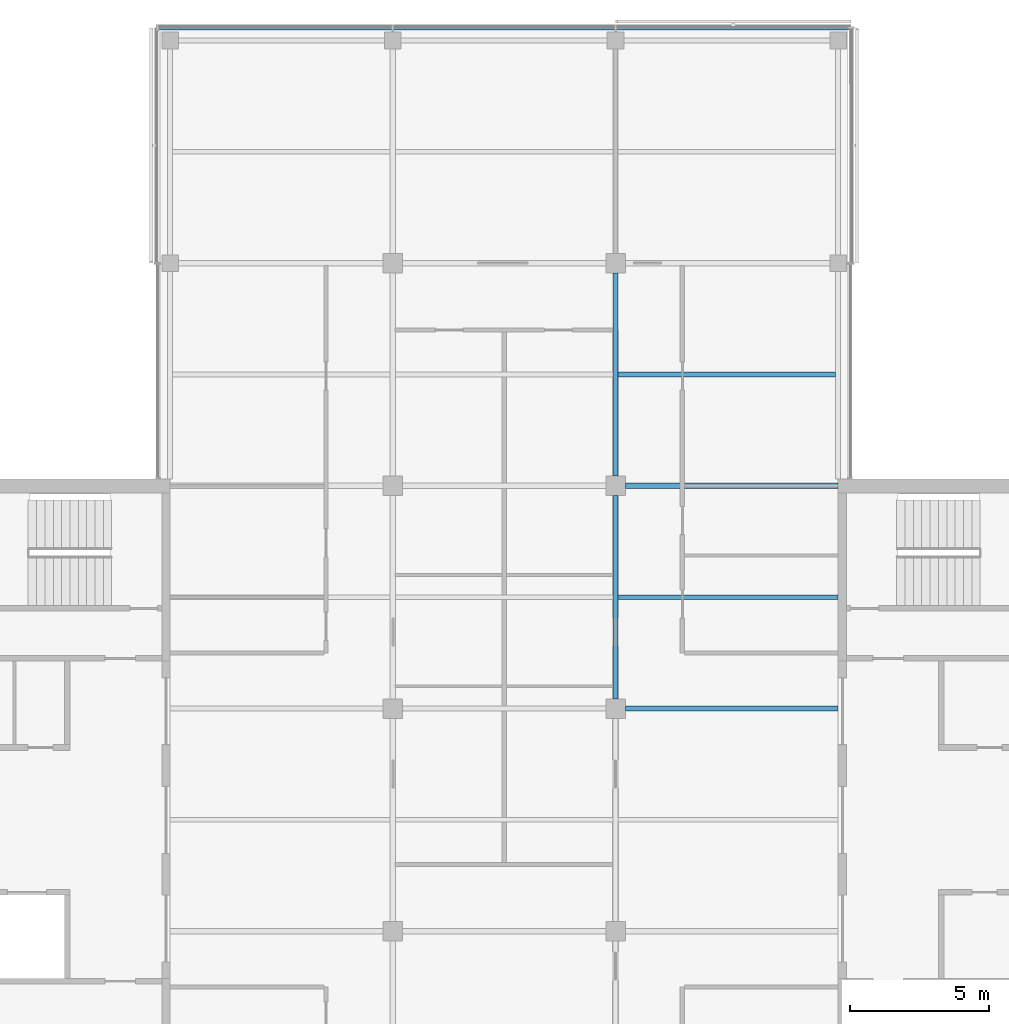
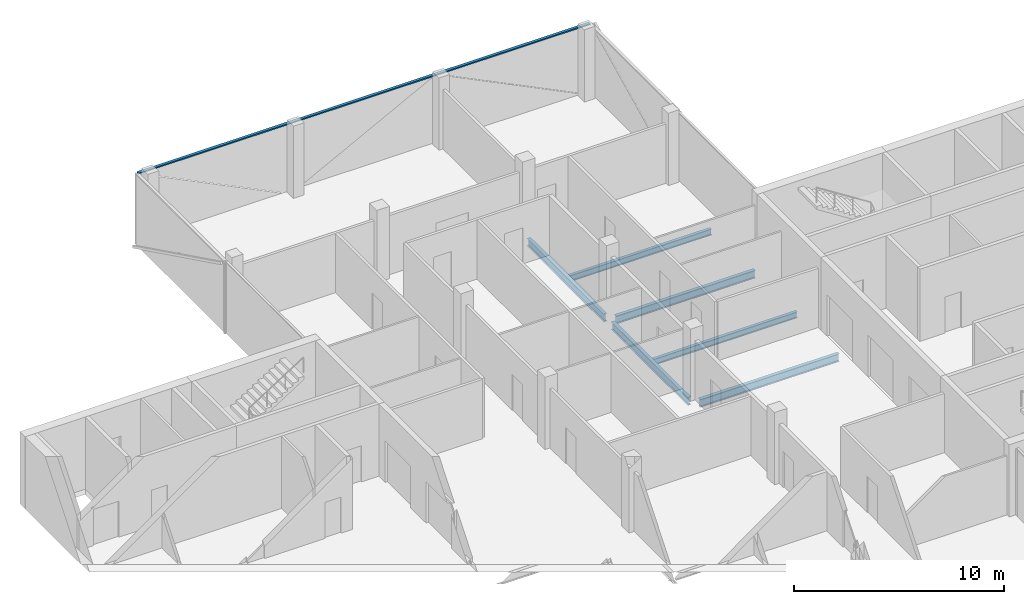
# One storey, part 6 of 16: 6 beams, 1 member, 1 element without a shape of its own.
"""IFC4 building model written with IfcOpenShell, lengths in metres."""

from ifc_helpers import new_model, si_unit, direction, frame, origin, origin_2d, place, context, subcontext, project, spatial, rectangle, i_section, extrude, material, material_profile, profile_set, type_object, element, aggregate, save


model = new_model("IFC4")

# Units and contexts
model_context = context("Model", 3, precision=1e-05, world=origin(), true_north=direction((0.0, 1.0)))
body_context = subcontext(model_context, "Body", "Model", "MODEL_VIEW")
ifc_project = project(units=[si_unit("LENGTHUNIT", "METRE"), si_unit("AREAUNIT", "SQUARE_METRE"), si_unit("VOLUMEUNIT", "CUBIC_METRE"), si_unit("PLANEANGLEUNIT", "RADIAN"), si_unit("MASSUNIT", "GRAM", prefix="KILO")], contexts=[model_context])

# Site, building, storey
site_placement = place(None, origin())
site = spatial("IfcSite", under=ifc_project, at=site_placement, CompositionType="ELEMENT")
building_placement = place(site_placement, origin())
building = spatial("IfcBuilding", under=site, at=building_placement, Name="Crosswind Convention Tower", CompositionType="ELEMENT")
storey_placement = place(building_placement, frame((0.0, 0.0, 278.699951171875)))
storey = spatial("IfcBuildingStorey", under=building, at=storey_placement, Name="L60", CompositionType="ELEMENT", Elevation=278.699951171875)

# Beams
ifc_material_1 = material(Name="Steel S355", Category="steel")
ifc_material_profile_1 = material_profile(ifc_material_1, i_section(OverallWidth=0.18994140625, OverallDepth=0.45361328125, WebThickness=0.008544921875, FlangeThickness=0.0126953125, FilletRadius=0.01025390625, at=origin_2d()), Name="UB 457x191x67")
ifc_profile_set_1 = profile_set([ifc_material_profile_1], Name="Steel S355")
beam_type_1 = type_object("IfcBeamType", Name="Girder UB 457x191x67", PredefinedType="BEAM", material=ifc_profile_set_1)
for number, where, z_axis, x_axis, name in (
    (1, (129.0, 104.35009765625, -0.52685546875), (0.0, 1.0, 0.0), (-1.0, 0.0, 0.0), "B1 L60 girder 20"),
    (2, (129.0, 112.35009765625, -0.52685546875), (0.0, 1.0, 0.0), (-1.0, 0.0, 0.0), "B1 L60 girder 21"),
):
    element("IfcBeam", number, at=place(storey_placement, frame(where, z_axis=z_axis, x_axis=x_axis)), inside=storey, type_object=beam_type_1, Name=name, PredefinedType="BEAM", context=body_context, shape_type="SweptSolid", body=[
        extrude(i_section(OverallWidth=0.18994140625, OverallDepth=0.45361328125, WebThickness=0.008544921875, FlangeThickness=0.0126953125, FilletRadius=0.01025390625, at=origin_2d()), origin(), (0.0, 0.0, 1.0), 7.2998046875),
    ])
ifc_material_profile_2 = material_profile(ifc_material_1, i_section(OverallWidth=0.1904296875, OverallDepth=0.457275390625, WebThickness=0.009033203125, FlangeThickness=0.014404296875, FilletRadius=0.01025390625, at=origin_2d()), Name="UB 457x191x75")
ifc_profile_set_2 = profile_set([ifc_material_profile_2], Name="Steel S355")
beam_type_2 = type_object("IfcBeamType", Name="Girder at core wall UB 457x191x75", PredefinedType="BEAM", material=ifc_profile_set_2)
for number, where, z_axis, x_axis, name in (
    (3, (129.35009765625, 104.0, -0.528564453125), (1.0, 0.0, 0.0), (0.0, 1.0, 0.0), "B22 L60 girder at core wall 7"),
    (4, (129.35009765625, 112.0, -0.528564453125), (1.0, 0.0, 0.0), (0.0, 1.0, 0.0), "B22 L60 girder at core wall 8"),
):
    element("IfcBeam", number, at=place(storey_placement, frame(where, z_axis=z_axis, x_axis=x_axis)), inside=storey, type_object=beam_type_2, Name=name, PredefinedType="BEAM", context=body_context, shape_type="SweptSolid", body=[
        extrude(i_section(OverallWidth=0.1904296875, OverallDepth=0.457275390625, WebThickness=0.009033203125, FlangeThickness=0.014404296875, FilletRadius=0.01025390625, at=origin_2d()), origin(), (0.0, 0.0, 1.0), 7.64990234375),
    ])
ifc_material_profile_3 = material_profile(ifc_material_1, i_section(OverallWidth=0.17138671875, OverallDepth=0.355712890625, WebThickness=0.00732421875, FlangeThickness=0.011474609375, FilletRadius=0.01025390625, at=origin_2d()), Name="UB 356x171x51")
ifc_profile_set_3 = profile_set([ifc_material_profile_3], Name="Steel S355")
beam_type_3 = type_object("IfcBeamType", Name="Secondary beam UB 356x171x51", PredefinedType="JOIST", material=ifc_profile_set_3)
beam_1_placement = place(storey_placement, frame((129.094970703125, 108.0, -0.477783203125), z_axis=(1.0, 0.0, 0.0), x_axis=(0.0, 1.0, 0.0)))
element("IfcBeam", 5, at=beam_1_placement, inside=storey, type_object=beam_type_3, Name="B8 L60 secondary beam 19", PredefinedType="JOIST", context=body_context, shape_type="SweptSolid", body=[
    extrude(i_section(OverallWidth=0.17138671875, OverallDepth=0.355712890625, WebThickness=0.00732421875, FlangeThickness=0.011474609375, FilletRadius=0.01025390625, at=origin_2d()), origin(), (0.0, 0.0, 1.0), 7.905029296875),
])
beam_2_placement = place(storey_placement, frame((129.094970703125, 116.0, -0.477783203125), z_axis=(1.0, 0.0, 0.0), x_axis=(0.0, 1.0, 0.0)))
element("IfcBeam", 6, at=beam_2_placement, inside=storey, type_object=beam_type_3, Name="B8 L60 secondary beam 20", PredefinedType="JOIST", context=body_context, shape_type="SweptSolid", body=[
    extrude(i_section(OverallWidth=0.17138671875, OverallDepth=0.355712890625, WebThickness=0.00732421875, FlangeThickness=0.011474609375, FilletRadius=0.01025390625, at=origin_2d()), origin(), (0.0, 0.0, 1.0), 7.816162109375),
])

# Curtain wall, member
ifc_material_2 = material(Name="Aluminium unitised curtain wall", Category="aluminium")
curtain_wall_type = type_object("IfcCurtainWallType", Name="OFFICE UNITISED WALL 220", PredefinedType="USERDEFINED", material=ifc_material_2)
curtain_wall_placement = place(storey_placement, origin())
curtain_wall = element("IfcCurtainWall", 7, at=curtain_wall_placement, inside=storey, type_object=curtain_wall_type, Name="CW3 L60 N-TIP 1", ObjectType="UNITISED", PredefinedType="USERDEFINED")
ifc_material_3 = material(Name="Aluminium transom", Category="aluminium")
ifc_material_profile_4 = material_profile(ifc_material_3, rectangle(XDim=0.159912109375, YDim=0.070068359375, at=origin_2d()), Name="AL 160X70")
ifc_profile_set_4 = profile_set([ifc_material_profile_4], Name="Aluminium transom")
member_type = type_object("IfcMemberType", Name="TRANSOM 70X160", PredefinedType="USERDEFINED", material=ifc_profile_set_4)
member_placement = place(storey_placement, frame((137.425048828125, 128.4599609375, 3.864990234375), z_axis=(-1.0, 0.0, 0.0), x_axis=(0.0, -1.0, 0.0)))
member = element("IfcMember", 8, at=member_placement, type_object=member_type, Name="CW3 transom", ObjectType="TRANSOM", PredefinedType="USERDEFINED", context=body_context, shape_type="SweptSolid", body=[
    extrude(rectangle(XDim=0.159912109375, YDim=0.070068359375, at=origin_2d()), origin(), (0.0, 0.0, 1.0), 24.85009765625),
])
aggregate(curtain_wall, [member])

save(model, "model.ifc")
